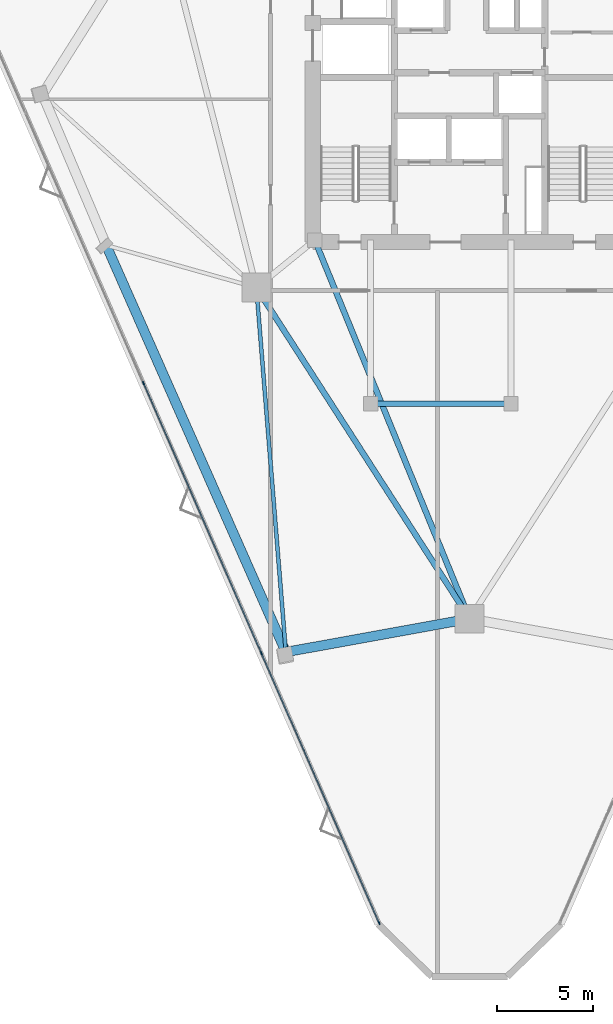
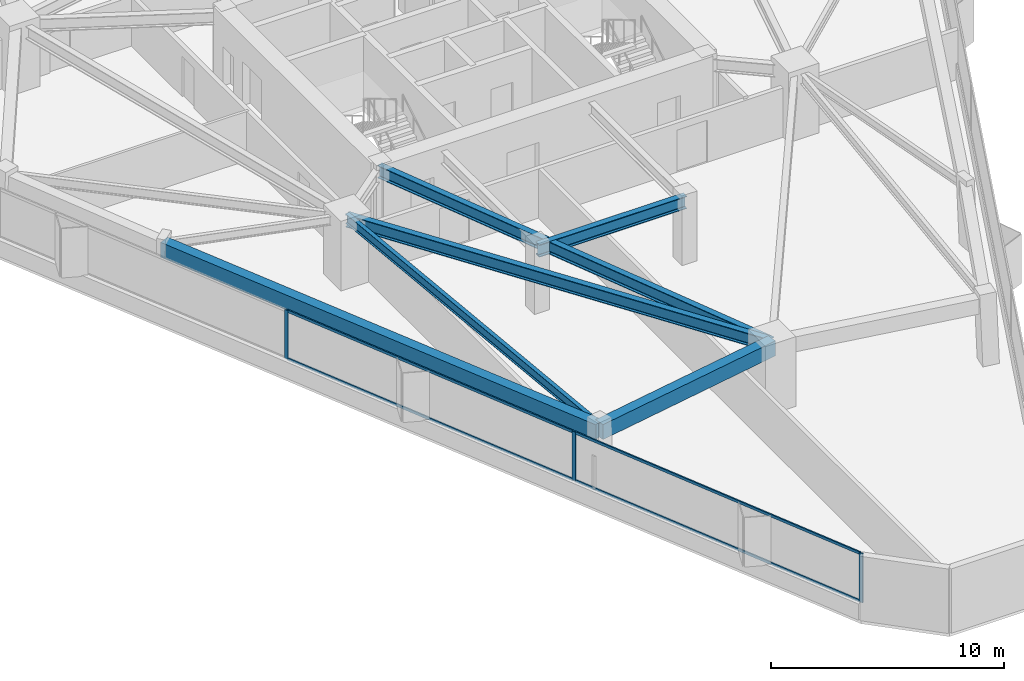
# One storey, part 2 of 15: 7 members, 6 beams, 1 element without a shape of its own.
"""IFC4 building model written with IfcOpenShell, lengths in metres."""

from ifc_helpers import new_model, si_unit, direction, frame, origin, origin_2d, place, context, subcontext, project, spatial, rectangle, i_section, extrude, material, layer, layer_set, material_profile, profile_set, type_object, element, aggregate, save


model = new_model("IFC4")

# Units and contexts
model_context = context("Model", 3, precision=1e-05, world=origin(), true_north=direction((0.0, 1.0)))
body_context = subcontext(model_context, "Body", "Model", "MODEL_VIEW")
ifc_project = project(units=[si_unit("LENGTHUNIT", "METRE"), si_unit("AREAUNIT", "SQUARE_METRE"), si_unit("VOLUMEUNIT", "CUBIC_METRE"), si_unit("PLANEANGLEUNIT", "RADIAN"), si_unit("MASSUNIT", "GRAM", prefix="KILO")], contexts=[model_context])

# Site, building, storey
site_placement = place(None, origin())
site = spatial("IfcSite", under=ifc_project, at=site_placement, CompositionType="ELEMENT")
building_placement = place(site_placement, origin())
building = spatial("IfcBuilding", under=site, at=building_placement, Name="Talyreon Biosciences Tower", CompositionType="ELEMENT")
storey_placement = place(building_placement, frame((0.0, 0.0, 127.199951171875)))
storey = spatial("IfcBuildingStorey", under=building, at=storey_placement, Name="L33", CompositionType="ELEMENT", Elevation=127.199951171875)

# Curtain wall, members
ifc_material_1 = material(Name="Thermally broken aluminium and low-E glazing", Category="aluminium")
ifc_layer = layer(ifc_material_1, 0.18505859375)
ifc_layer_set = layer_set([ifc_layer], Name="Thermally broken aluminium and low-E glazing")
curtain_wall_type = type_object("IfcCurtainWallType", Name="CurtainWall_Zone3Bioprocess", PredefinedType="NOTDEFINED", material=ifc_layer_set)
curtain_wall_placement = place(storey_placement, origin())
curtain_wall = element("IfcCurtainWall", 1, at=curtain_wall_placement, inside=storey, type_object=curtain_wall_type, Name="L33 Unitised Curtain Wall FCW-L33-00", PredefinedType="NOTDEFINED")
ifc_material_2 = material(Name="Anodised thermally broken aluminium", Category="aluminium")
ifc_material_profile_1 = material_profile(ifc_material_2, rectangle(XDim=0.06494140625, YDim=0.179931640625, at=origin_2d()), Name="ALUM MULLION 65x180")
ifc_profile_set_1 = profile_set([ifc_material_profile_1], Name="Anodised thermally broken aluminium")
member_type_1 = type_object("IfcMemberType", Name="CWMullion_65x180", PredefinedType="MULLION", material=ifc_profile_set_1)
member_1_placement = place(storey_placement, frame((61.294677734375, 25.854736328125, 0.81005859375), z_axis=(0.0, 0.0, 1.0), x_axis=(-0.916489607057, -0.400058495919, 0.0)))
member_1 = element("IfcMember", 2, at=member_1_placement, type_object=member_type_1, Name="CW4 mullion 1", PredefinedType="MULLION", context=body_context, shape_type="SweptSolid", body=[
    extrude(rectangle(XDim=0.06494140625, YDim=0.179931640625, at=origin_2d()), origin(), (0.0, 0.0, 1.0), 2.56494140625),
])
member_2_placement = place(storey_placement, frame((55.1767578125, 39.869873046875, 0.81005859375), z_axis=(0.0, 0.0, 1.0), x_axis=(-0.916489607057, -0.400058495919, 0.0)))
member_2 = element("IfcMember", 3, at=member_2_placement, type_object=member_type_1, Name="CW4 mullion 2", PredefinedType="MULLION", context=body_context, shape_type="SweptSolid", body=[
    extrude(rectangle(XDim=0.06494140625, YDim=0.179931640625, at=origin_2d()), origin(), (0.0, 0.0, 1.0), 2.56494140625),
])
member_3_placement = place(storey_placement, frame((49.046142578125, 53.914794921875, 0.81005859375), z_axis=(0.0, 0.0, 1.0), x_axis=(-0.916489607057, -0.400058495919, 0.0)))
member_3 = element("IfcMember", 4, at=member_3_placement, type_object=member_type_1, Name="CW4 mullion 3", PredefinedType="MULLION", context=body_context, shape_type="SweptSolid", body=[
    extrude(rectangle(XDim=0.06494140625, YDim=0.179931640625, at=origin_2d()), origin(), (0.0, 0.0, 1.0), 2.56494140625),
])
ifc_material_profile_2 = material_profile(ifc_material_2, rectangle(XDim=0.06494140625, YDim=0.139892578125, at=origin_2d()), Name="ALUM TRANSOM 65x140")
ifc_profile_set_2 = profile_set([ifc_material_profile_2], Name="Anodised thermally broken aluminium")
member_type_2 = type_object("IfcMemberType", Name="CWTransom_65x140", PredefinedType="USERDEFINED", material=ifc_profile_set_2)
member_4_placement = place(storey_placement, frame((61.281494140625, 25.884521484375, 0.842529296875), z_axis=(-0.400046570574, 0.916494812518, 0.0), x_axis=(-0.916494812518, -0.400046570574, 0.0)))
member_4 = element("IfcMember", 5, at=member_4_placement, type_object=member_type_2, Name="CW4 transom 1.1", ObjectType="TRANSOM", PredefinedType="USERDEFINED", context=body_context, shape_type="SweptSolid", body=[
    extrude(rectangle(XDim=0.06494140625, YDim=0.139892578125, at=origin_2d()), origin(), (0.0, 0.0, 1.0), 15.22705078125),
])
member_5_placement = place(storey_placement, frame((61.281494140625, 25.884521484375, 3.342529296875), z_axis=(-0.400046570574, 0.916494812518, 0.0), x_axis=(-0.916494812518, -0.400046570574, 0.0)))
member_5 = element("IfcMember", 6, at=member_5_placement, type_object=member_type_2, Name="CW4 transom 1.2", ObjectType="TRANSOM", PredefinedType="USERDEFINED", context=body_context, shape_type="SweptSolid", body=[
    extrude(rectangle(XDim=0.06494140625, YDim=0.139892578125, at=origin_2d()), origin(), (0.0, 0.0, 1.0), 15.22705078125),
])
member_6_placement = place(storey_placement, frame((55.163818359375, 39.899658203125, 0.842529296875), z_axis=(-0.400056615307, 0.916490427964, 0.0), x_axis=(-0.916490427964, -0.400056615307, 0.0)))
member_6 = element("IfcMember", 7, at=member_6_placement, type_object=member_type_2, Name="CW4 transom 2.1", ObjectType="TRANSOM", PredefinedType="USERDEFINED", context=body_context, shape_type="SweptSolid", body=[
    extrude(rectangle(XDim=0.06494140625, YDim=0.139892578125, at=origin_2d()), origin(), (0.0, 0.0, 1.0), 15.259765625),
])
member_7_placement = place(storey_placement, frame((55.163818359375, 39.899658203125, 3.342529296875), z_axis=(-0.400056615307, 0.916490427964, 0.0), x_axis=(-0.916490427964, -0.400056615307, 0.0)))
member_7 = element("IfcMember", 8, at=member_7_placement, type_object=member_type_2, Name="CW4 transom 2.2", ObjectType="TRANSOM", PredefinedType="USERDEFINED", context=body_context, shape_type="SweptSolid", body=[
    extrude(rectangle(XDim=0.06494140625, YDim=0.139892578125, at=origin_2d()), origin(), (0.0, 0.0, 1.0), 15.259765625),
])
aggregate(curtain_wall, [member_1, member_2, member_3, member_4, member_5, member_6, member_7])

# Beams
ifc_material_3 = material(Name="Precast concrete C45/55", Category="concrete")
ifc_material_profile_3 = material_profile(ifc_material_3, rectangle(XDim=0.5, YDim=0.780029296875, at=origin_2d()), Name="RCB 500x780")
ifc_profile_set_3 = profile_set([ifc_material_profile_3], Name="Precast concrete C45/55")
beam_type_1 = type_object("IfcBeamType", Name="ExpressedSpandrel_500x780", PredefinedType="SPANDREL", material=ifc_profile_set_3)
beam_1_placement = place(storey_placement, frame((47.10888671875, 61.0830078125, 2.985107421875), z_axis=(0.403962060353, -0.914775739619, 0.0), x_axis=(0.914775739619, 0.403962060353, 0.0)))
element("IfcBeam", 9, at=beam_1_placement, inside=storey, type_object=beam_type_1, Name="L33 Expressed Horizontal Concrete Spandrel 11", PredefinedType="SPANDREL", context=body_context, shape_type="SweptSolid", body=[
    extrude(rectangle(XDim=0.5, YDim=0.780029296875, at=origin_2d()), origin(), (0.0, 0.0, 1.0), 23.1181640625),
])
beam_2_placement = place(storey_placement, frame((56.44775390625, 39.93505859375, 2.985107421875), z_axis=(0.983957509541, 0.178402969194, 0.0), x_axis=(-0.178402969194, 0.983957509541, 0.0)))
element("IfcBeam", 10, at=beam_2_placement, inside=storey, type_object=beam_type_1, Name="L33 Expressed Horizontal Concrete Spandrel 12", PredefinedType="SPANDREL", context=body_context, shape_type="SweptSolid", body=[
    extrude(rectangle(XDim=0.5, YDim=0.780029296875, at=origin_2d()), origin(), (0.0, 0.0, 1.0), 9.7080078125),
])
ifc_material_4 = material(Name="Steel SM355", Category="steel")
ifc_material_profile_4 = material_profile(ifc_material_4, i_section(OverallWidth=0.300048828125, OverallDepth=0.64990234375, WebThickness=0.01611328125, FlangeThickness=0.031005859375, FilletRadius=0.027099609375, at=origin_2d()), Name="HE650B")
ifc_profile_set_4 = profile_set([ifc_material_profile_4], Name="Steel SM355")
beam_type_2 = type_object("IfcBeamType", Name="SteelBeam_HE650B", PredefinedType="BEAM", material=ifc_profile_set_4)
beam_3_placement = place(storey_placement, frame((54.913818359375, 58.88037109375, 3.050048828125), z_axis=(0.541463723609, -0.840724114092, 0.0), x_axis=(0.840724114092, 0.541463723609, 0.0)))
element("IfcBeam", 11, at=beam_3_placement, inside=storey, type_object=beam_type_2, Name="L33 Mega-Ring Girder 6", PredefinedType="BEAM", context=body_context, shape_type="SweptSolid", body=[
    extrude(i_section(OverallWidth=0.300048828125, OverallDepth=0.64990234375, WebThickness=0.01611328125, FlangeThickness=0.031005859375, FilletRadius=0.027099609375, at=origin_2d()), origin(), (0.0, 0.0, 1.0), 20.474365234375),
])
beam_4_placement = place(storey_placement, frame((57.949951171875, 61.35009765625, 3.050048828125), z_axis=(0.378547014545, -0.925582064314, 0.0), x_axis=(0.925582064314, 0.378547014545, 0.0)))
element("IfcBeam", 12, at=beam_4_placement, inside=storey, type_object=beam_type_2, Name="L33 Radial Primary Girder 1", PredefinedType="BEAM", context=body_context, shape_type="SweptSolid", body=[
    extrude(i_section(OverallWidth=0.300048828125, OverallDepth=0.64990234375, WebThickness=0.01611328125, FlangeThickness=0.031005859375, FilletRadius=0.027099609375, at=origin_2d()), origin(), (0.0, 0.0, 1.0), 21.265625),
])
beam_5_placement = place(storey_placement, frame((60.85009765625, 52.840087890625, 3.050048828125), z_axis=(1.0, 0.0, 0.0), x_axis=(0.0, 1.0, 0.0)))
element("IfcBeam", 13, at=beam_5_placement, inside=storey, type_object=beam_type_2, Name="L33 Crown Shaft Spine Girder S", PredefinedType="BEAM", context=body_context, shape_type="SweptSolid", body=[
    extrude(i_section(OverallWidth=0.300048828125, OverallDepth=0.64990234375, WebThickness=0.01611328125, FlangeThickness=0.031005859375, FilletRadius=0.027099609375, at=origin_2d()), origin(), (0.0, 0.0, 1.0), 7.2998046875),
])
ifc_material_profile_5 = material_profile(ifc_material_4, i_section(OverallWidth=0.199951171875, OverallDepth=0.5, WebThickness=0.01025390625, FlangeThickness=0.01611328125, FilletRadius=0.02099609375, at=origin_2d()), Name="IPE500")
ifc_profile_set_5 = profile_set([ifc_material_profile_5], Name="Steel SM355")
beam_type_3 = type_object("IfcBeamType", Name="SteelJoist_IPE500", PredefinedType="JOIST", material=ifc_profile_set_5)
beam_6_placement = place(storey_placement, frame((54.913818359375, 58.88037109375, 3.125), z_axis=(0.080702401704, -0.996738241646, 0.0), x_axis=(0.996738241646, 0.080702401704, 0.0)))
element("IfcBeam", 14, at=beam_6_placement, inside=storey, type_object=beam_type_3, Name="L33 Radial Composite Floor Joist PC-SW2", PredefinedType="JOIST", context=body_context, shape_type="SweptSolid", body=[
    extrude(i_section(OverallWidth=0.199951171875, OverallDepth=0.5, WebThickness=0.01025390625, FlangeThickness=0.01611328125, FilletRadius=0.02099609375, at=origin_2d()), origin(), (0.0, 0.0, 1.0), 19.00732421875),
])

save(model, "model.ifc")
